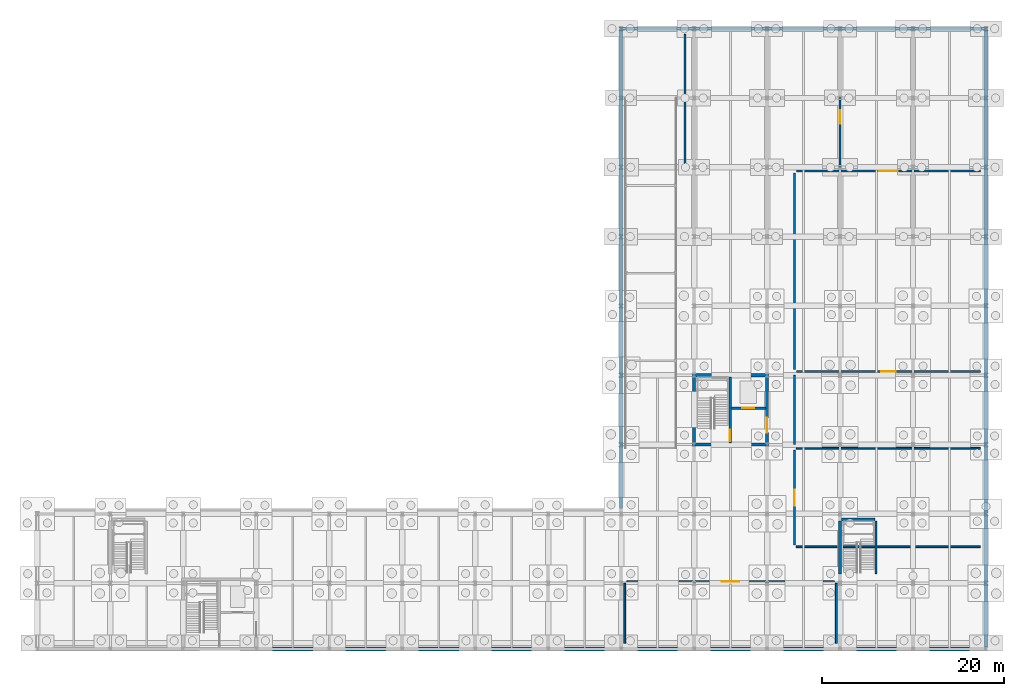
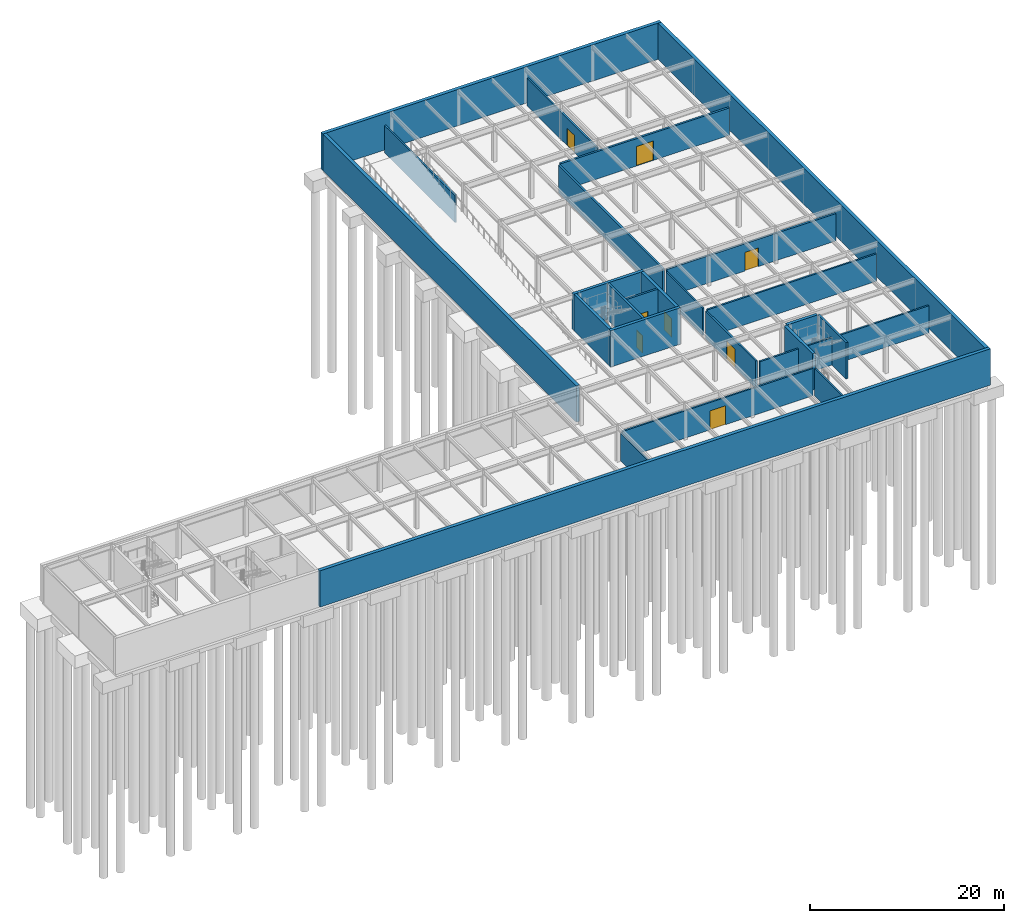
# One storey, part 16 of 21: 25 walls, 8 doors, 8 openings.
"""IFC4 building model written with IfcOpenShell, lengths in metres."""

from ifc_helpers import new_model, si_unit, direction, frame, frame_2d, origin, place, context, subcontext, project, spatial, rectangle, extrude, material, layer, layer_set, type_object, element, fill, save


model = new_model("IFC4")

# Units and contexts
model_context = context("Model", 3, precision=1e-05, world=origin(), true_north=direction((0.0, 1.0)))
body_context = subcontext(model_context, "Body", "Model", "MODEL_VIEW")
ifc_project = project(units=[si_unit("LENGTHUNIT", "METRE"), si_unit("AREAUNIT", "SQUARE_METRE"), si_unit("VOLUMEUNIT", "CUBIC_METRE"), si_unit("PLANEANGLEUNIT", "RADIAN"), si_unit("MASSUNIT", "GRAM", prefix="KILO")], contexts=[model_context])

# Site, building, storey
site_placement = place(None, origin())
site = spatial("IfcSite", under=ifc_project, at=site_placement, CompositionType="ELEMENT")
building_placement = place(site_placement, origin())
building = spatial("IfcBuilding", under=site, at=building_placement, Name="Zulena Civic Courthouse", CompositionType="ELEMENT")
storey_placement = place(building_placement, frame((0.0, 0.0, -4.800048828125)))
storey = spatial("IfcBuildingStorey", under=building, at=storey_placement, Name="B01", CompositionType="ELEMENT", Elevation=-4.800048828125)

# Wall, opening, door
ifc_material_1 = material(Name="Concrete C40/50", Category="concrete")
ifc_layer_1 = layer(ifc_material_1, 0.25)
ifc_layer_set_1 = layer_set([ifc_layer_1], Name="Concrete C40/50")
wall_type_1 = type_object("IfcWallType", Name="CoreShearWall_RC250", PredefinedType="SHEAR", material=ifc_layer_set_1)
wall_1_placement = place(storey_placement, frame((79.949951171875, 68.574951171875, 0.0), z_axis=(0.0, 0.0, 1.0), x_axis=(0.0, 1.0, 0.0)))
wall_1 = element("IfcWall", 1, at=wall_1_placement, inside=storey, type_object=wall_type_1, Name="cwall:K5B:B01:DIV", PredefinedType="SHEAR", context=body_context, shape_type="SweptSolid", body=[
    extrude(rectangle(XDim=7.25, YDim=0.25, at=frame_2d((3.625, 0.0))), origin(), (0.0, 0.0, 1.0), 4.590087890625),
])
opening_1_placement = place(wall_1_placement, frame((0.179931640625, 0.0, 0.0)))
opening_1 = element("IfcOpeningElement", 2, at=opening_1_placement, cuts=wall_1, Name="Opening ID06", PredefinedType="OPENING", context=body_context, shape_type="SweptSolid", body=[
    extrude(rectangle(XDim=1.25, YDim=2.199951171875, at=frame_2d((0.625, 1.10009765625))), frame((0.0, 0.135009765625, 0.0), z_axis=(0.0, -1.0, 0.0), x_axis=(1.0, 0.0, 0.0)), (0.0, 0.0, 1.0), 0.27001953125),
])
ifc_material_2 = material(Name="Fire-rated galvanised steel ASTM A653 Grade 50", Category="steel")
door_type_1 = type_object("IfcDoorType", Name="IntDoor_Stair_1250x2200", OperationType="NOTDEFINED", PredefinedType="DOOR", material=ifc_material_2)
door_1_placement = place(opening_1_placement, origin())
door_1 = element("IfcDoor", 3, at=door_1_placement, inside=storey, type_object=door_type_1, Name="door:stair:K5B:B01", OperationType="SINGLE_SWING_RIGHT", OverallHeight=2.199951171875, OverallWidth=1.25, PredefinedType="DOOR", context=body_context, shape_type="SweptSolid", body=[
    extrude(rectangle(XDim=1.25, YDim=2.199951171875, at=frame_2d((0.625, 1.10009765625))), frame((0.0, 0.02490234375, 0.0), z_axis=(0.0, -1.0, 0.0), x_axis=(1.0, 0.0, 0.0)), (0.0, 0.0, 1.0), 0.050048828125),
])
fill(opening_1, door_1)

wall_2_placement = place(storey_placement, frame((80.074951171875, 72.39990234375, 0.0), z_axis=(0.0, 0.0, 1.0), x_axis=(1.0, 0.0, 0.0)))
wall_2 = element("IfcWall", 4, at=wall_2_placement, inside=storey, type_object=wall_type_1, Name="cwall:K5B:B01:SHF", PredefinedType="SHEAR", context=body_context, shape_type="SweptSolid", body=[
    extrude(rectangle(XDim=3.75, YDim=0.25, at=frame_2d((1.875, 0.0))), origin(), (0.0, 0.0, 1.0), 4.590087890625),
])
opening_2_placement = place(wall_2_placement, frame((1.195068359375, 0.0, 0.0)))
opening_2 = element("IfcOpeningElement", 5, at=opening_2_placement, cuts=wall_2, Name="Opening LD04", PredefinedType="OPENING", context=body_context, shape_type="SweptSolid", body=[
    extrude(rectangle(XDim=1.35009765625, YDim=2.199951171875, at=frame_2d((0.675048828125, 1.10009765625))), frame((0.0, 0.135009765625, 0.0), z_axis=(0.0, -1.0, 0.0), x_axis=(1.0, 0.0, 0.0)), (0.0, 0.0, 1.0), 0.27001953125),
])
door_type_2 = type_object("IfcDoorType", Name="LiftLandingDoor_Goods_1350x2300", OperationType="DOUBLE_DOOR_SLIDING", PredefinedType="DOOR", material=ifc_material_2)
door_2_placement = place(opening_2_placement, origin())
door_2 = element("IfcDoor", 6, at=door_2_placement, inside=storey, type_object=door_type_2, Name="door:ld:CL-02:B01", OperationType="DOUBLE_DOOR_SLIDING", OverallHeight=2.199951171875, OverallWidth=1.35009765625, PredefinedType="DOOR", context=body_context, shape_type="SweptSolid", body=[
    extrude(rectangle(XDim=1.35009765625, YDim=2.199951171875, at=frame_2d((0.675048828125, 1.10009765625))), frame((0.0, 0.02490234375, 0.0), z_axis=(0.0, -1.0, 0.0), x_axis=(1.0, 0.0, 0.0)), (0.0, 0.0, 1.0), 0.050048828125),
])
fill(opening_2, door_2)

# Walls
wall_3_placement = place(storey_placement, frame((95.949951171875, 54.199951171875, 0.0), z_axis=(0.0, 0.0, 1.0), x_axis=(0.0, 1.0, 0.0)))
element("IfcWall", 7, at=wall_3_placement, inside=storey, type_object=wall_type_1, Name="cwall:STB2:B01:E", PredefinedType="SHEAR", context=body_context, shape_type="SweptSolid", body=[
    extrude(rectangle(XDim=5.820068359375, YDim=0.25, at=frame_2d((2.91015625, 0.0))), origin(), (0.0, 0.0, 1.0), 4.580078125),
])
ifc_layer_2 = layer(ifc_material_1, 0.35009765625)
ifc_layer_set_2 = layer_set([ifc_layer_2], Name="Concrete C40/50")
wall_type_2 = type_object("IfcWallType", Name="CoreShearWall_RC350", PredefinedType="SHEAR", material=ifc_layer_set_2)
for number, where, z_axis, x_axis, name in (
    (8, (75.824951171875, 68.39990234375, 0.0), (0.0, 0.0, 1.0), (1.0, 0.0, 0.0), "cwall:K5B:B01:S"),
    (9, (75.824951171875, 76.0, 0.0), (0.0, 0.0, 1.0), (1.0, 0.0, 0.0), "cwall:K5B:B01:N"),
):
    element("IfcWall", number, at=place(storey_placement, frame(where, z_axis=z_axis, x_axis=x_axis)), inside=storey, type_object=wall_type_2, Name=name, PredefinedType="SHEAR", context=body_context, shape_type="SweptSolid", body=[
        extrude(rectangle(XDim=8.35009765625, YDim=0.35009765625, at=frame_2d((4.175048828125, 0.0))), origin(), (0.0, 0.0, 1.0), 4.590087890625),
    ])
wall_4_placement = place(storey_placement, frame((76.0, 68.574951171875, 0.0), z_axis=(0.0, 0.0, 1.0), x_axis=(0.0, 1.0, 0.0)))
element("IfcWall", 10, at=wall_4_placement, inside=storey, type_object=wall_type_2, Name="cwall:K5B:B01:W", PredefinedType="SHEAR", context=body_context, shape_type="SweptSolid", body=[
    extrude(rectangle(XDim=7.25, YDim=0.35009765625, at=frame_2d((3.625, 0.0))), origin(), (0.0, 0.0, 1.0), 4.590087890625),
])

# Wall, opening, door
wall_5_placement = place(storey_placement, frame((84.0, 68.574951171875, 0.0), z_axis=(0.0, 0.0, 1.0), x_axis=(0.0, 1.0, 0.0)))
wall_5 = element("IfcWall", 11, at=wall_5_placement, inside=storey, type_object=wall_type_2, Name="cwall:K5B:B01:E", PredefinedType="SHEAR", context=body_context, shape_type="SweptSolid", body=[
    extrude(rectangle(XDim=7.25, YDim=0.35009765625, at=frame_2d((3.625, 0.0))), origin(), (0.0, 0.0, 1.0), 4.590087890625),
])
opening_3_placement = place(wall_5_placement, frame((1.14990234375, 0.0, 0.0)))
opening_3 = element("IfcOpeningElement", 12, at=opening_3_placement, cuts=wall_5, Name="Opening ID04", PredefinedType="OPENING", context=body_context, shape_type="SweptSolid", body=[
    extrude(rectangle(XDim=1.60009765625, YDim=2.35009765625, at=frame_2d((0.800048828125, 1.175048828125))), frame((0.0, 0.18505859375, 0.0), z_axis=(0.0, -1.0, 0.0), x_axis=(1.0, 0.0, 0.0)), (0.0, 0.0, 1.0), 0.3701171875),
])
ifc_material_3 = material(Name="Solid-core acoustic hardwood timber", Category="wood")
door_type_3 = type_object("IfcDoorType", Name="IntDoor_CourtPublic_1600x2350", OperationType="DOUBLE_DOOR_SINGLE_SWING", PredefinedType="DOOR", material=ifc_material_3)
door_3_placement = place(opening_3_placement, origin())
door_3 = element("IfcDoor", 13, at=door_3_placement, inside=storey, type_object=door_type_3, Name="door:corelob:K5B:B01", OperationType="DOUBLE_DOOR_SINGLE_SWING", OverallHeight=2.35009765625, OverallWidth=1.60009765625, PredefinedType="DOOR", context=body_context, shape_type="SweptSolid", body=[
    extrude(rectangle(XDim=1.60009765625, YDim=2.35009765625, at=frame_2d((0.800048828125, 1.175048828125))), frame((0.0, 0.02490234375, 0.0), z_axis=(0.0, -1.0, 0.0), x_axis=(1.0, 0.0, 0.0)), (0.0, 0.0, 1.0), 0.050048828125),
])
fill(opening_3, door_3)

# Walls
wall_6_placement = place(storey_placement, frame((92.0, 54.199951171875, 0.0), z_axis=(0.0, 0.0, 1.0), x_axis=(0.0, 1.0, 0.0)))
element("IfcWall", 14, at=wall_6_placement, inside=storey, type_object=wall_type_2, Name="cwall:STB2:B01:W", PredefinedType="SHEAR", context=body_context, shape_type="SweptSolid", body=[
    extrude(rectangle(XDim=5.820068359375, YDim=0.35009765625, at=frame_2d((2.91015625, 0.0))), origin(), (0.0, 0.0, 1.0), 4.580078125),
])
wall_7_placement = place(storey_placement, frame((92.179931640625, 60.199951171875, 0.0), z_axis=(0.0, 0.0, 1.0), x_axis=(1.0, 0.0, 0.0)))
element("IfcWall", 15, at=wall_7_placement, inside=storey, type_object=wall_type_2, Name="cwall:STB2:B01:N", PredefinedType="SHEAR", context=body_context, shape_type="SweptSolid", body=[
    extrude(rectangle(XDim=3.64013671875, YDim=0.35009765625, at=frame_2d((1.820068359375, 0.0))), origin(), (0.0, 0.0, 1.0), 4.580078125),
])

# Wall, opening, door
ifc_material_4 = material(Name="Insulated blockwork masonry ASTM C90", Category="masonry")
ifc_layer_3 = layer(ifc_material_4, 0.239990234375)
ifc_layer_set_3 = layer_set([ifc_layer_3], Name="Insulated blockwork masonry ASTM C90")
wall_type_3 = type_object("IfcWallType", Name="PartWall_Custody_240", PredefinedType="PARTITIONING", material=ifc_layer_set_3)
wall_8_placement = place(storey_placement, frame((87.219970703125, 98.39990234375, 0.0), z_axis=(0.0, 0.0, 1.0), x_axis=(1.0, 0.0, 0.0)))
wall_8 = element("IfcWall", 16, at=wall_8_placement, inside=storey, type_object=wall_type_3, Name="pwall:B01:202:0", PredefinedType="PARTITIONING", context=body_context, shape_type="SweptSolid", body=[
    extrude(rectangle(XDim=20.159912109375, YDim=0.239990234375, at=frame_2d((10.080078125, 0.0))), origin(), (0.0, 0.0, 1.0), 3.449951171875),
])
opening_4_placement = place(wall_8_placement, frame((9.054931640625, 0.0, 0.0)))
opening_4 = element("IfcOpeningElement", 17, at=opening_4_placement, cuts=wall_8, Name="Opening ID01", PredefinedType="OPENING", context=body_context, shape_type="SweptSolid", body=[
    extrude(rectangle(XDim=2.050048828125, YDim=2.449951171875, at=frame_2d((1.02490234375, 1.22509765625))), frame((0.0, 0.1298828125, 0.0), z_axis=(0.0, -1.0, 0.0), x_axis=(1.0, 0.0, 0.0)), (0.0, 0.0, 1.0), 0.260009765625),
])
door_type_4 = type_object("IfcDoorType", Name="IntDoor_Ceremonial_2050x2450", OperationType="DOUBLE_DOOR_SINGLE_SWING", PredefinedType="DOOR", material=ifc_material_3)
door_4_placement = place(opening_4_placement, origin())
door_4 = element("IfcDoor", 18, at=door_4_placement, inside=storey, type_object=door_type_4, Name="door:rm:B01:202", OperationType="DOUBLE_DOOR_SINGLE_SWING", OverallHeight=2.449951171875, OverallWidth=2.050048828125, PredefinedType="DOOR", context=body_context, shape_type="SweptSolid", body=[
    extrude(rectangle(XDim=2.050048828125, YDim=2.449951171875, at=frame_2d((1.02490234375, 1.22509765625))), frame((0.0, 0.02490234375, 0.0), z_axis=(0.0, -1.0, 0.0), x_axis=(1.0, 0.0, 0.0)), (0.0, 0.0, 1.0), 0.050048828125),
])
fill(opening_4, door_4)

wall_9_placement = place(storey_placement, frame((87.219970703125, 76.39990234375, 0.0), z_axis=(0.0, 0.0, 1.0), x_axis=(1.0, 0.0, 0.0)))
wall_9 = element("IfcWall", 19, at=wall_9_placement, inside=storey, type_object=wall_type_3, Name="pwall:B01:202:1", PredefinedType="PARTITIONING", context=body_context, shape_type="SweptSolid", body=[
    extrude(rectangle(XDim=20.159912109375, YDim=0.239990234375, at=frame_2d((10.080078125, 0.0))), origin(), (0.0, 0.0, 1.0), 3.449951171875),
])
opening_5_placement = place(wall_9_placement, frame((9.280029296875, 0.0, 0.0)))
opening_5 = element("IfcOpeningElement", 20, at=opening_5_placement, cuts=wall_9, Name="Opening ID04", PredefinedType="OPENING", context=body_context, shape_type="SweptSolid", body=[
    extrude(rectangle(XDim=1.60009765625, YDim=2.35009765625, at=frame_2d((0.800048828125, 1.175048828125))), frame((0.0, 0.1298828125, 0.0), z_axis=(0.0, -1.0, 0.0), x_axis=(1.0, 0.0, 0.0)), (0.0, 0.0, 1.0), 0.260009765625),
])
door_5_placement = place(opening_5_placement, origin())
door_5 = element("IfcDoor", 21, at=door_5_placement, inside=storey, type_object=door_type_3, Name="door:rm:B01:205", OperationType="DOUBLE_DOOR_SINGLE_SWING", OverallHeight=2.35009765625, OverallWidth=1.60009765625, PredefinedType="DOOR", context=body_context, shape_type="SweptSolid", body=[
    extrude(rectangle(XDim=1.60009765625, YDim=2.35009765625, at=frame_2d((0.800048828125, 1.175048828125))), frame((0.0, 0.02490234375, 0.0), z_axis=(0.0, -1.0, 0.0), x_axis=(1.0, 0.0, 0.0)), (0.0, 0.0, 1.0), 0.050048828125),
])
fill(opening_5, door_5)

# Wall
wall_10_placement = place(storey_placement, frame((87.0, 76.6201171875, 0.0), z_axis=(0.0, 0.0, 1.0), x_axis=(0.0, 1.0, 0.0)))
element("IfcWall", 22, at=wall_10_placement, inside=storey, type_object=wall_type_3, Name="pwall:B01:202:2", PredefinedType="PARTITIONING", context=body_context, shape_type="SweptSolid", body=[
    extrude(rectangle(XDim=21.559814453125, YDim=0.239990234375, at=frame_2d((10.77978515625, 0.0))), origin(), (0.0, 0.0, 1.0), 3.449951171875),
])

# Wall, opening, door
ifc_layer_4 = layer(ifc_material_4, 0.196044921875)
ifc_layer_set_4 = layer_set([ifc_layer_4], Name="Insulated blockwork masonry ASTM C90")
wall_type_4 = type_object("IfcWallType", Name="PartWall_Plant_196", PredefinedType="PARTITIONING", material=ifc_layer_set_4)
wall_11_placement = place(storey_placement, frame((68.6201171875, 53.39990234375, 0.0), z_axis=(0.0, 0.0, 1.0), x_axis=(1.0, 0.0, 0.0)))
wall_11 = element("IfcWall", 23, at=wall_11_placement, inside=storey, type_object=wall_type_4, Name="pwall:B01:203:0", PredefinedType="PARTITIONING", context=body_context, shape_type="SweptSolid", body=[
    extrude(rectangle(XDim=22.759765625, YDim=0.196044921875, at=frame_2d((11.3798828125, 0.0))), origin(), (0.0, 0.0, 1.0), 3.449951171875),
])
opening_6_placement = place(wall_11_placement, frame((10.429931640625, 0.0, 0.0)))
opening_6 = element("IfcOpeningElement", 24, at=opening_6_placement, cuts=wall_11, Name="Opening ID02", PredefinedType="OPENING", context=body_context, shape_type="SweptSolid", body=[
    extrude(rectangle(XDim=1.89990234375, YDim=2.39990234375, at=frame_2d((0.949951171875, 1.199951171875))), frame((0.0, 0.10791015625, 0.0), z_axis=(0.0, -1.0, 0.0), x_axis=(1.0, 0.0, 0.0)), (0.0, 0.0, 1.0), 0.216064453125),
])
door_type_5 = type_object("IfcDoorType", Name="IntDoor_CourtPublic_1900x2400", OperationType="DOUBLE_DOOR_SINGLE_SWING", PredefinedType="DOOR", material=ifc_material_3)
door_6_placement = place(opening_6_placement, origin())
door_6 = element("IfcDoor", 25, at=door_6_placement, inside=storey, type_object=door_type_5, Name="door:rm:B01:203", OperationType="DOUBLE_DOOR_SINGLE_SWING", OverallHeight=2.39990234375, OverallWidth=1.89990234375, PredefinedType="DOOR", context=body_context, shape_type="SweptSolid", body=[
    extrude(rectangle(XDim=1.89990234375, YDim=2.39990234375, at=frame_2d((0.949951171875, 1.199951171875))), frame((0.0, 0.02490234375, 0.0), z_axis=(0.0, -1.0, 0.0), x_axis=(1.0, 0.0, 0.0)), (0.0, 0.0, 1.0), 0.050048828125),
])
fill(opening_6, door_6)

# Walls
for number, where, z_axis, x_axis, name in (
    (26, (91.60009765625, 46.6201171875, 0.0), (0.0, 0.0, 1.0), (0.0, 1.0, 0.0), "pwall:B01:203:1"),
    (27, (68.39990234375, 46.6201171875, 0.0), (0.0, 0.0, 1.0), (0.0, 1.0, 0.0), "pwall:B01:203:2"),
):
    element("IfcWall", number, at=place(storey_placement, frame(where, z_axis=z_axis, x_axis=x_axis)), inside=storey, type_object=wall_type_4, Name=name, PredefinedType="PARTITIONING", context=body_context, shape_type="SweptSolid", body=[
        extrude(rectangle(XDim=6.559814453125, YDim=0.196044921875, at=frame_2d((3.27978515625, 0.0))), origin(), (0.0, 0.0, 1.0), 3.449951171875),
    ])

# Wall, opening, door
wall_12_placement = place(storey_placement, frame((87.0, 57.419921875, 0.0), z_axis=(0.0, 0.0, 1.0), x_axis=(0.0, 1.0, 0.0)))
wall_12 = element("IfcWall", 28, at=wall_12_placement, inside=storey, type_object=wall_type_4, Name="pwall:B01:204:0", PredefinedType="PARTITIONING", context=body_context, shape_type="SweptSolid", body=[
    extrude(rectangle(XDim=10.360107421875, YDim=0.196044921875, at=frame_2d((5.18017578125, 0.0))), origin(), (0.0, 0.0, 1.0), 3.449951171875),
])
opening_7_placement = place(wall_12_placement, frame((4.304931640625, 0.0, 0.0)))
opening_7 = element("IfcOpeningElement", 29, at=opening_7_placement, cuts=wall_12, Name="Opening ID03", PredefinedType="OPENING", context=body_context, shape_type="SweptSolid", body=[
    extrude(rectangle(XDim=1.75, YDim=2.35009765625, at=frame_2d((0.875, 1.175048828125))), frame((0.0, 0.10791015625, 0.0), z_axis=(0.0, -1.0, 0.0), x_axis=(1.0, 0.0, 0.0)), (0.0, 0.0, 1.0), 0.216064453125),
])
door_type_6 = type_object("IfcDoorType", Name="IntDoor_CourtPublic_1750x2350", OperationType="DOUBLE_DOOR_SINGLE_SWING", PredefinedType="DOOR", material=ifc_material_3)
door_7_placement = place(opening_7_placement, origin())
door_7 = element("IfcDoor", 30, at=door_7_placement, inside=storey, type_object=door_type_6, Name="door:rm:B01:204", OperationType="DOUBLE_DOOR_SINGLE_SWING", OverallHeight=2.35009765625, OverallWidth=1.75, PredefinedType="DOOR", context=body_context, shape_type="SweptSolid", body=[
    extrude(rectangle(XDim=1.75, YDim=2.35009765625, at=frame_2d((0.875, 1.175048828125))), frame((0.0, 0.02490234375, 0.0), z_axis=(0.0, -1.0, 0.0), x_axis=(1.0, 0.0, 0.0)), (0.0, 0.0, 1.0), 0.050048828125),
])
fill(opening_7, door_7)

# Walls
for number, where, z_axis, x_axis, name in (
    (31, (87.219970703125, 68.0, 0.0), (0.0, 0.0, 1.0), (1.0, 0.0, 0.0), "pwall:B01:204:1"),
    (32, (87.219970703125, 57.199951171875, 0.0), (0.0, 0.0, 1.0), (1.0, 0.0, 0.0), "pwall:B01:204:2"),
):
    element("IfcWall", number, at=place(storey_placement, frame(where, z_axis=z_axis, x_axis=x_axis)), inside=storey, type_object=wall_type_4, Name=name, PredefinedType="PARTITIONING", context=body_context, shape_type="SweptSolid", body=[
        extrude(rectangle(XDim=20.159912109375, YDim=0.196044921875, at=frame_2d((10.080078125, 0.0))), origin(), (0.0, 0.0, 1.0), 3.449951171875),
    ])
wall_13_placement = place(storey_placement, frame((87.0, 68.419921875, 0.0), z_axis=(0.0, 0.0, 1.0), x_axis=(0.0, 1.0, 0.0)))
element("IfcWall", 33, at=wall_13_placement, inside=storey, type_object=wall_type_4, Name="pwall:B01:205:2", PredefinedType="PARTITIONING", context=body_context, shape_type="SweptSolid", body=[
    extrude(rectangle(XDim=7.56005859375, YDim=0.196044921875, at=frame_2d((3.780029296875, 0.0))), origin(), (0.0, 0.0, 1.0), 3.449951171875),
])

# Wall, opening, door
wall_14_placement = place(storey_placement, frame((92.0, 98.820068359375, 0.0), z_axis=(0.0, 0.0, 1.0), x_axis=(0.0, 1.0, 0.0)))
wall_14 = element("IfcWall", 34, at=wall_14_placement, inside=storey, type_object=wall_type_4, Name="pwall:B01:206:1", PredefinedType="PARTITIONING", context=body_context, shape_type="SweptSolid", body=[
    extrude(rectangle(XDim=14.559814453125, YDim=0.196044921875, at=frame_2d((7.27978515625, 0.0))), origin(), (0.0, 0.0, 1.0), 3.449951171875),
])
opening_8_placement = place(wall_14_placement, frame((4.72998046875, 0.0, 0.0)))
opening_8 = element("IfcOpeningElement", 35, at=opening_8_placement, cuts=wall_14, Name="Opening ID05", PredefinedType="OPENING", context=body_context, shape_type="SweptSolid", body=[
    extrude(rectangle(XDim=1.5, YDim=2.199951171875, at=frame_2d((0.75, 1.10009765625))), frame((0.0, 0.10791015625, 0.0), z_axis=(0.0, -1.0, 0.0), x_axis=(1.0, 0.0, 0.0)), (0.0, 0.0, 1.0), 0.216064453125),
])
door_type_7 = type_object("IfcDoorType", Name="IntDoor_FFLobby_1500x2200", OperationType="DOUBLE_DOOR_SINGLE_SWING", PredefinedType="DOOR", material=ifc_material_2)
door_8_placement = place(opening_8_placement, origin())
door_8 = element("IfcDoor", 36, at=door_8_placement, inside=storey, type_object=door_type_7, Name="door:rm:B01:206", OperationType="DOUBLE_DOOR_SINGLE_SWING", OverallHeight=2.199951171875, OverallWidth=1.5, PredefinedType="DOOR", context=body_context, shape_type="SweptSolid", body=[
    extrude(rectangle(XDim=1.5, YDim=2.199951171875, at=frame_2d((0.75, 1.10009765625))), frame((0.0, 0.02490234375, 0.0), z_axis=(0.0, -1.0, 0.0), x_axis=(1.0, 0.0, 0.0)), (0.0, 0.0, 1.0), 0.050048828125),
])
fill(opening_8, door_8)

# Walls
wall_15_placement = place(storey_placement, frame((75.0, 98.820068359375, 0.0), z_axis=(0.0, 0.0, 1.0), x_axis=(0.0, 1.0, 0.0)))
element("IfcWall", 37, at=wall_15_placement, inside=storey, type_object=wall_type_4, Name="pwall:B01:206:2", PredefinedType="PARTITIONING", context=body_context, shape_type="SweptSolid", body=[
    extrude(rectangle(XDim=14.559814453125, YDim=0.196044921875, at=frame_2d((7.27978515625, 0.0))), origin(), (0.0, 0.0, 1.0), 3.449951171875),
])
ifc_layer_5 = layer(ifc_material_1, 0.409912109375)
ifc_layer_set_5 = layer_set([ifc_layer_5], Name="Concrete C40/50")
wall_type_5 = type_object("IfcWallType", Name="RetainingWall_RC410", PredefinedType="USERDEFINED", material=ifc_layer_set_5)
wall_16_placement = place(storey_placement, frame((28.179931640625, 46.0, 0.0), z_axis=(0.0, 0.0, 1.0), x_axis=(1.0, 0.0, 0.0)))
element("IfcWall", 38, at=wall_16_placement, inside=storey, type_object=wall_type_5, Name="rwall:B01:0:1", ObjectType="RETAININGWALL", PredefinedType="USERDEFINED", context=body_context, shape_type="SweptSolid", body=[
    extrude(rectangle(XDim=80.025146484375, YDim=0.409912109375, at=frame_2d((40.0126953125, 0.0))), origin(), (0.0, 0.0, 1.0), 4.580078125),
])
wall_17_placement = place(storey_placement, frame((108.0, 46.205078125, 0.0), z_axis=(0.0, 0.0, 1.0), x_axis=(0.0, 1.0, 0.0)))
element("IfcWall", 39, at=wall_17_placement, inside=storey, type_object=wall_type_5, Name="rwall:B01:1:0", ObjectType="RETAININGWALL", PredefinedType="USERDEFINED", context=body_context, shape_type="SweptSolid", body=[
    extrude(rectangle(XDim=67.58984375, YDim=0.409912109375, at=frame_2d((33.794921875, 0.0))), origin(), (0.0, 0.0, 1.0), 4.580078125),
])
wall_18_placement = place(storey_placement, frame((108.205078125, 114.0, 0.0), z_axis=(0.0, 0.0, 1.0), x_axis=(-1.0, 0.0, 0.0)))
element("IfcWall", 40, at=wall_18_placement, inside=storey, type_object=wall_type_5, Name="rwall:B01:2:0", ObjectType="RETAININGWALL", PredefinedType="USERDEFINED", context=body_context, shape_type="SweptSolid", body=[
    extrude(rectangle(XDim=40.41015625, YDim=0.409912109375, at=frame_2d((20.205078125, 0.0))), origin(), (0.0, 0.0, 1.0), 4.580078125),
])
wall_19_placement = place(storey_placement, frame((68.0, 113.794921875, 0.0), z_axis=(0.0, 0.0, 1.0), x_axis=(0.0, -1.0, 0.0)))
element("IfcWall", 41, at=wall_19_placement, inside=storey, type_object=wall_type_5, Name="rwall:B01:3:0", ObjectType="RETAININGWALL", PredefinedType="USERDEFINED", context=body_context, shape_type="SweptSolid", body=[
    extrude(rectangle(XDim=52.389892578125, YDim=0.409912109375, at=frame_2d((26.19482421875, 0.0))), origin(), (0.0, 0.0, 1.0), 4.580078125),
])

save(model, "model.ifc")
